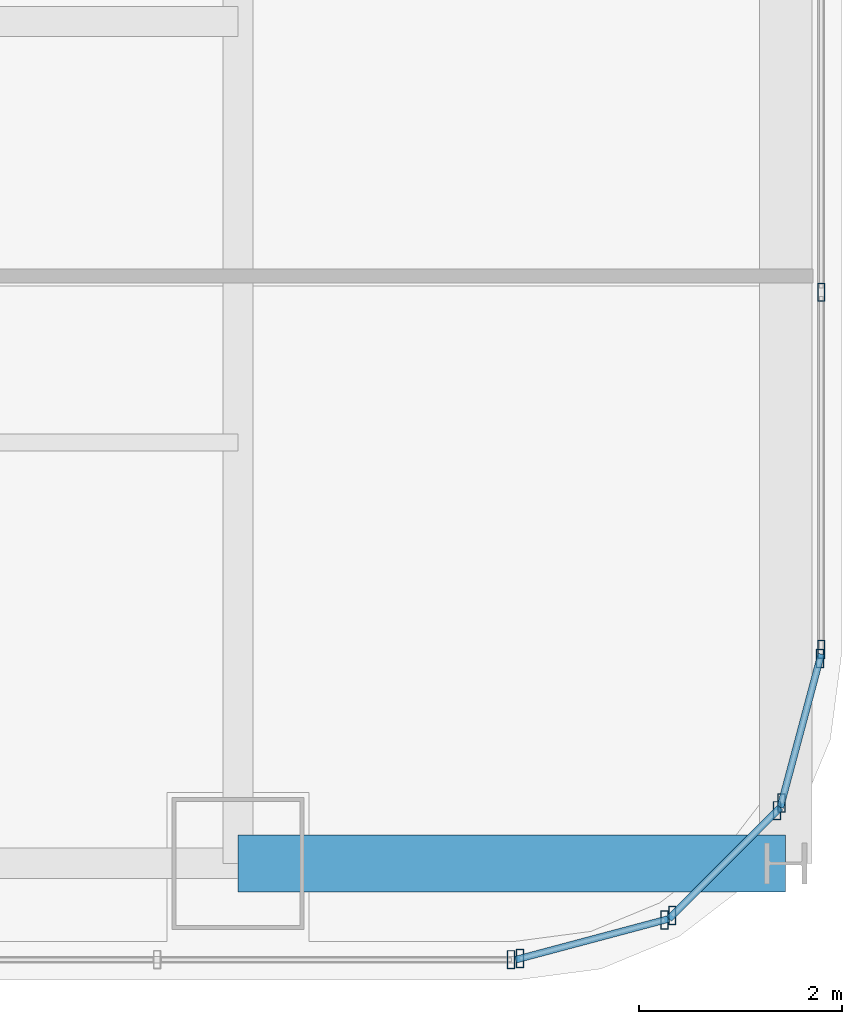
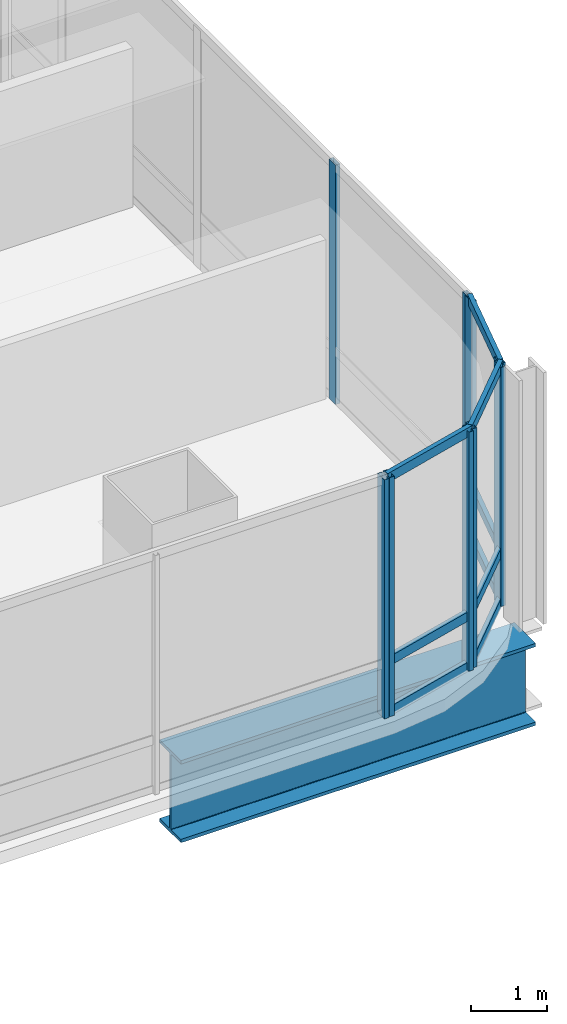
# One storey, part 15 of 42: 18 members, 1 beam, 5 elements without a shape of their own.
"""IFC4 building model written with IfcOpenShell, lengths in metres."""

from ifc_helpers import new_model, si_unit, direction, frame, origin, origin_2d, place, context, subcontext, project, spatial, hollow_rectangle, i_section, extrude, material, material_profile, profile_set, type_object, element, aggregate, save


model = new_model("IFC4")

# Units and contexts
model_context = context("Model", 3, precision=1e-05, world=origin(), true_north=direction((0.0, 1.0)))
body_context = subcontext(model_context, "Body", "Model", "MODEL_VIEW")
ifc_project = project(units=[si_unit("LENGTHUNIT", "METRE"), si_unit("AREAUNIT", "SQUARE_METRE"), si_unit("VOLUMEUNIT", "CUBIC_METRE"), si_unit("PLANEANGLEUNIT", "RADIAN"), si_unit("MASSUNIT", "GRAM", prefix="KILO")], contexts=[model_context])

# Site, building, storey
site_placement = place(None, origin())
site = spatial("IfcSite", under=ifc_project, at=site_placement, CompositionType="ELEMENT")
building_placement = place(site_placement, origin())
building = spatial("IfcBuilding", under=site, at=building_placement, Name="Punatoya Terracotta Tower", CompositionType="ELEMENT")
storey_placement = place(building_placement, frame((0.0, 0.0, 263.550048828125)))
storey = spatial("IfcBuildingStorey", under=building, at=storey_placement, Name="L62", CompositionType="ELEMENT", Elevation=263.550048828125)

# Beam
ifc_material_1 = material(Name="Steel S460", Category="steel")
ifc_material_profile_1 = material_profile(ifc_material_1, i_section(OverallWidth=0.56005859375, OverallDepth=1.320068359375, WebThickness=0.035888671875, FlangeThickness=0.054931640625, FilletRadius=0.01806640625, at=origin_2d()))
ifc_profile_set_1 = profile_set([ifc_material_profile_1], Name="Steel S460")
beam_type = type_object("IfcBeamType", Name="BM-TG-BLK", PredefinedType="BEAM", material=ifc_profile_set_1)
beam_placement = place(storey_placement, frame((19.10009765625, -17.5, -0.860107421875), z_axis=(1.0, 0.0, 0.0), x_axis=(0.0, 1.0, 0.0)))
element("IfcBeam", 1, at=beam_placement, inside=storey, type_object=beam_type, Name="BM-L62-CANT-E1", PredefinedType="BEAM", context=body_context, shape_type="SweptSolid", body=[
    extrude(i_section(OverallWidth=0.56005859375, OverallDepth=1.320068359375, WebThickness=0.035888671875, FlangeThickness=0.054931640625, FilletRadius=0.01806640625, at=origin_2d()), origin(), (0.0, 0.0, 1.0), 5.39990234375),
])

# Curtain wall, member
ifc_material_2 = material(Name="Aluminium 6063-T6 + Double Low-E Glass", Category="aluminium")
curtain_wall_type = type_object("IfcCurtainWallType", Name="CW-M3", PredefinedType="NOTDEFINED", material=ifc_material_2)
curtain_wall_1_placement = place(storey_placement, origin())
curtain_wall_1 = element("IfcCurtainWall", 2, at=curtain_wall_1_placement, inside=storey, type_object=curtain_wall_type, Name="L62 Curtain Wall CW-L62-S01-1", PredefinedType="NOTDEFINED")
ifc_material_3 = material(Name="Aluminium 6063-T6", Category="aluminium")
ifc_material_profile_2 = material_profile(ifc_material_3, hollow_rectangle(XDim=0.070068359375, YDim=0.179931640625, WallThickness=0.00390625, at=origin_2d()))
ifc_profile_set_2 = profile_set([ifc_material_profile_2], Name="Aluminium 6063-T6")
member_type_1 = type_object("IfcMemberType", Name="CW-MUL-M3", PredefinedType="MULLION", material=ifc_profile_set_2)
member_1_placement = place(storey_placement, frame((21.7919921875, -18.449951171875, 0.0), z_axis=(0.0, 0.0, 1.0), x_axis=(1.0, 0.0, 0.0)))
member_1 = element("IfcMember", 3, at=member_1_placement, type_object=member_type_1, Name="CW-L62-S01-1 Mullion 11", PredefinedType="MULLION", context=body_context, shape_type="SweptSolid", body=[
    extrude(hollow_rectangle(XDim=0.070068359375, YDim=0.179931640625, WallThickness=0.00390625, at=origin_2d()), origin(), (0.0, 0.0, 1.0), 3.849853515625),
])
aggregate(curtain_wall_1, [member_1])

# Curtain wall, members
curtain_wall_2_placement = place(storey_placement, origin())
curtain_wall_2 = element("IfcCurtainWall", 4, at=curtain_wall_2_placement, inside=storey, type_object=curtain_wall_type, Name="L62 Curtain Wall CW-L62-CRN02", PredefinedType="NOTDEFINED")
member_2_placement = place(storey_placement, frame((21.88037109375, -18.4384765625, 0.0), z_axis=(0.0, 0.0, 1.0), x_axis=(1.0, 0.0, 0.0)))
member_2 = element("IfcMember", 5, at=member_2_placement, type_object=member_type_1, Name="CW-L62-CRN02 Mullion 00", PredefinedType="MULLION", context=body_context, shape_type="SweptSolid", body=[
    extrude(hollow_rectangle(XDim=0.070068359375, YDim=0.179931640625, WallThickness=0.00390625, at=origin_2d()), origin(), (0.0, 0.0, 1.0), 3.849853515625),
])
member_3_placement = place(storey_placement, frame((23.3056640625, -18.05810546875, 0.0), z_axis=(0.0, 0.0, 1.0), x_axis=(1.0, 0.0, 0.0)))
member_3 = element("IfcMember", 6, at=member_3_placement, type_object=member_type_1, Name="CW-L62-CRN02 Mullion 01", PredefinedType="MULLION", context=body_context, shape_type="SweptSolid", body=[
    extrude(hollow_rectangle(XDim=0.070068359375, YDim=0.179931640625, WallThickness=0.00390625, at=origin_2d()), origin(), (0.0, 0.0, 1.0), 3.849853515625),
])

curtain_wall_3_placement = place(storey_placement, origin())
curtain_wall_3 = element("IfcCurtainWall", 7, at=curtain_wall_3_placement, inside=storey, type_object=curtain_wall_type, Name="L62 Curtain Wall CW-L62-CRN03", PredefinedType="NOTDEFINED")
member_4_placement = place(storey_placement, frame((23.380859375, -18.014892578125, 0.0), z_axis=(0.0, 0.0, 1.0), x_axis=(1.0, 0.0, 0.0)))
member_4 = element("IfcMember", 8, at=member_4_placement, type_object=member_type_1, Name="CW-L62-CRN03 Mullion 00", PredefinedType="MULLION", context=body_context, shape_type="SweptSolid", body=[
    extrude(hollow_rectangle(XDim=0.070068359375, YDim=0.179931640625, WallThickness=0.00390625, at=origin_2d()), origin(), (0.0, 0.0, 1.0), 3.849853515625),
])
member_5_placement = place(storey_placement, frame((24.414794921875, -16.98095703125, 0.0), z_axis=(0.0, 0.0, 1.0), x_axis=(1.0, 0.0, 0.0)))
member_5 = element("IfcMember", 9, at=member_5_placement, type_object=member_type_1, Name="CW-L62-CRN03 Mullion 01", PredefinedType="MULLION", context=body_context, shape_type="SweptSolid", body=[
    extrude(hollow_rectangle(XDim=0.070068359375, YDim=0.179931640625, WallThickness=0.00390625, at=origin_2d()), origin(), (0.0, 0.0, 1.0), 3.849853515625),
])

curtain_wall_4_placement = place(storey_placement, origin())
curtain_wall_4 = element("IfcCurtainWall", 10, at=curtain_wall_4_placement, inside=storey, type_object=curtain_wall_type, Name="L62 Curtain Wall CW-L62-CRN04", PredefinedType="NOTDEFINED")
member_6_placement = place(storey_placement, frame((24.458251953125, -16.905517578125, 0.0), z_axis=(0.0, 0.0, 1.0), x_axis=(1.0, 0.0, 0.0)))
member_6 = element("IfcMember", 11, at=member_6_placement, type_object=member_type_1, Name="CW-L62-CRN04 Mullion 00", PredefinedType="MULLION", context=body_context, shape_type="SweptSolid", body=[
    extrude(hollow_rectangle(XDim=0.070068359375, YDim=0.179931640625, WallThickness=0.00390625, at=origin_2d()), origin(), (0.0, 0.0, 1.0), 3.849853515625),
])
member_7_placement = place(storey_placement, frame((24.83837890625, -15.48046875, 0.0), z_axis=(0.0, 0.0, 1.0), x_axis=(1.0, 0.0, 0.0)))
member_7 = element("IfcMember", 12, at=member_7_placement, type_object=member_type_1, Name="CW-L62-CRN04 Mullion 01", PredefinedType="MULLION", context=body_context, shape_type="SweptSolid", body=[
    extrude(hollow_rectangle(XDim=0.070068359375, YDim=0.179931640625, WallThickness=0.00390625, at=origin_2d()), origin(), (0.0, 0.0, 1.0), 3.849853515625),
])

curtain_wall_5_placement = place(storey_placement, origin())
curtain_wall_5 = element("IfcCurtainWall", 13, at=curtain_wall_5_placement, inside=storey, type_object=curtain_wall_type, Name="L62 Curtain Wall CW-L62-E05-1", PredefinedType="NOTDEFINED")
member_8_placement = place(storey_placement, frame((24.85009765625, -15.391845703125, 0.0), z_axis=(0.0, 0.0, 1.0), x_axis=(1.0, 0.0, 0.0)))
member_8 = element("IfcMember", 14, at=member_8_placement, type_object=member_type_1, Name="CW-L62-E05-1 Mullion 00", PredefinedType="MULLION", context=body_context, shape_type="SweptSolid", body=[
    extrude(hollow_rectangle(XDim=0.070068359375, YDim=0.179931640625, WallThickness=0.00390625, at=origin_2d()), origin(), (0.0, 0.0, 1.0), 3.849853515625),
])
member_9_placement = place(storey_placement, frame((24.85009765625, -11.869384765625, 0.0), z_axis=(0.0, 0.0, 1.0), x_axis=(1.0, 0.0, 0.0)))
member_9 = element("IfcMember", 15, at=member_9_placement, type_object=member_type_1, Name="CW-L62-E05-1 Mullion 01", PredefinedType="MULLION", context=body_context, shape_type="SweptSolid", body=[
    extrude(hollow_rectangle(XDim=0.070068359375, YDim=0.179931640625, WallThickness=0.00390625, at=origin_2d()), origin(), (0.0, 0.0, 1.0), 3.849853515625),
])
aggregate(curtain_wall_5, [member_8, member_9])

# Member
ifc_material_profile_3 = material_profile(ifc_material_3, hollow_rectangle(XDim=0.068115234375, YDim=0.14990234375, WallThickness=0.00390625, at=origin_2d()))
ifc_profile_set_3 = profile_set([ifc_material_profile_3], Name="Aluminium 6063-T6")
member_type_2 = type_object("IfcMemberType", Name="CW-TRN-TYP", PredefinedType="USERDEFINED", material=ifc_profile_set_3)
member_10_placement = place(storey_placement, frame((21.8369140625, -18.449951171875, 0.0400390625), z_axis=(0.966224582397, 0.257701486942, 0.0), x_axis=(-0.257701486942, 0.966224582397, 0.0)))
member_10 = element("IfcMember", 16, at=member_10_placement, type_object=member_type_2, Name="CW-L62-CRN02 Transom 1", ObjectType="TRANSOM", PredefinedType="USERDEFINED", context=body_context, shape_type="SweptSolid", body=[
    extrude(hollow_rectangle(XDim=0.068115234375, YDim=0.14990234375, WallThickness=0.00390625, at=origin_2d()), origin(), (0.0, 0.0, 1.0), 1.565185546875),
])

member_11_placement = place(storey_placement, frame((21.8369140625, -18.449951171875, 0.849853515625), z_axis=(0.966224582397, 0.257701486942, 0.0), x_axis=(-0.257701486942, 0.966224582397, 0.0)))
member_11 = element("IfcMember", 17, at=member_11_placement, type_object=member_type_2, Name="CW-L62-CRN02 Transom 2", ObjectType="TRANSOM", PredefinedType="USERDEFINED", context=body_context, shape_type="SweptSolid", body=[
    extrude(hollow_rectangle(XDim=0.068115234375, YDim=0.14990234375, WallThickness=0.00390625, at=origin_2d()), origin(), (0.0, 0.0, 1.0), 1.565185546875),
])

member_12_placement = place(storey_placement, frame((21.8369140625, -18.449951171875, 3.81005859375), z_axis=(0.966224582397, 0.257701486942, 0.0), x_axis=(-0.257701486942, 0.966224582397, 0.0)))
member_12 = element("IfcMember", 18, at=member_12_placement, type_object=member_type_2, Name="CW-L62-CRN02 Transom 3", ObjectType="TRANSOM", PredefinedType="USERDEFINED", context=body_context, shape_type="SweptSolid", body=[
    extrude(hollow_rectangle(XDim=0.068115234375, YDim=0.14990234375, WallThickness=0.00390625, at=origin_2d()), origin(), (0.0, 0.0, 1.0), 1.565185546875),
])

aggregate(curtain_wall_2, [member_2, member_3, member_10, member_11, member_12])

member_13_placement = place(storey_placement, frame((23.34912109375, -18.046630859375, 0.0400390625), z_axis=(0.707106781187, 0.707106781187, 0.0), x_axis=(-0.707106781187, 0.707106781187, 0.0)))
member_13 = element("IfcMember", 19, at=member_13_placement, type_object=member_type_2, Name="CW-L62-CRN03 Transom 1", ObjectType="TRANSOM", PredefinedType="USERDEFINED", context=body_context, shape_type="SweptSolid", body=[
    extrude(hollow_rectangle(XDim=0.068115234375, YDim=0.14990234375, WallThickness=0.00390625, at=origin_2d()), origin(), (0.0, 0.0, 1.0), 1.552001953125),
])

member_14_placement = place(storey_placement, frame((23.34912109375, -18.046630859375, 0.849853515625), z_axis=(0.707106781187, 0.707106781187, 0.0), x_axis=(-0.707106781187, 0.707106781187, 0.0)))
member_14 = element("IfcMember", 20, at=member_14_placement, type_object=member_type_2, Name="CW-L62-CRN03 Transom 2", ObjectType="TRANSOM", PredefinedType="USERDEFINED", context=body_context, shape_type="SweptSolid", body=[
    extrude(hollow_rectangle(XDim=0.068115234375, YDim=0.14990234375, WallThickness=0.00390625, at=origin_2d()), origin(), (0.0, 0.0, 1.0), 1.552001953125),
])

member_15_placement = place(storey_placement, frame((23.34912109375, -18.046630859375, 3.81005859375), z_axis=(0.707106781187, 0.707106781187, 0.0), x_axis=(-0.707106781187, 0.707106781187, 0.0)))
member_15 = element("IfcMember", 21, at=member_15_placement, type_object=member_type_2, Name="CW-L62-CRN03 Transom 3", ObjectType="TRANSOM", PredefinedType="USERDEFINED", context=body_context, shape_type="SweptSolid", body=[
    extrude(hollow_rectangle(XDim=0.068115234375, YDim=0.14990234375, WallThickness=0.00390625, at=origin_2d()), origin(), (0.0, 0.0, 1.0), 1.552001953125),
])

aggregate(curtain_wall_3, [member_4, member_5, member_13, member_14, member_15])

member_16_placement = place(storey_placement, frame((24.446533203125, -16.94921875, 0.0400390625), z_axis=(0.257847112249, 0.966185730957, 0.0), x_axis=(-0.966185730957, 0.257847112249, 0.0)))
member_16 = element("IfcMember", 22, at=member_16_placement, type_object=member_type_2, Name="CW-L62-CRN04 Transom 1", ObjectType="TRANSOM", PredefinedType="USERDEFINED", context=body_context, shape_type="SweptSolid", body=[
    extrude(hollow_rectangle(XDim=0.068115234375, YDim=0.14990234375, WallThickness=0.00390625, at=origin_2d()), origin(), (0.0, 0.0, 1.0), 1.565185546875),
])

member_17_placement = place(storey_placement, frame((24.446533203125, -16.94921875, 0.849853515625), z_axis=(0.257847112249, 0.966185730957, 0.0), x_axis=(-0.966185730957, 0.257847112249, 0.0)))
member_17 = element("IfcMember", 23, at=member_17_placement, type_object=member_type_2, Name="CW-L62-CRN04 Transom 2", ObjectType="TRANSOM", PredefinedType="USERDEFINED", context=body_context, shape_type="SweptSolid", body=[
    extrude(hollow_rectangle(XDim=0.068115234375, YDim=0.14990234375, WallThickness=0.00390625, at=origin_2d()), origin(), (0.0, 0.0, 1.0), 1.565185546875),
])

member_18_placement = place(storey_placement, frame((24.446533203125, -16.94921875, 3.81005859375), z_axis=(0.257847112249, 0.966185730957, 0.0), x_axis=(-0.966185730957, 0.257847112249, 0.0)))
member_18 = element("IfcMember", 24, at=member_18_placement, type_object=member_type_2, Name="CW-L62-CRN04 Transom 3", ObjectType="TRANSOM", PredefinedType="USERDEFINED", context=body_context, shape_type="SweptSolid", body=[
    extrude(hollow_rectangle(XDim=0.068115234375, YDim=0.14990234375, WallThickness=0.00390625, at=origin_2d()), origin(), (0.0, 0.0, 1.0), 1.565185546875),
])

aggregate(curtain_wall_4, [member_6, member_7, member_16, member_17, member_18])

save(model, "model.ifc")
